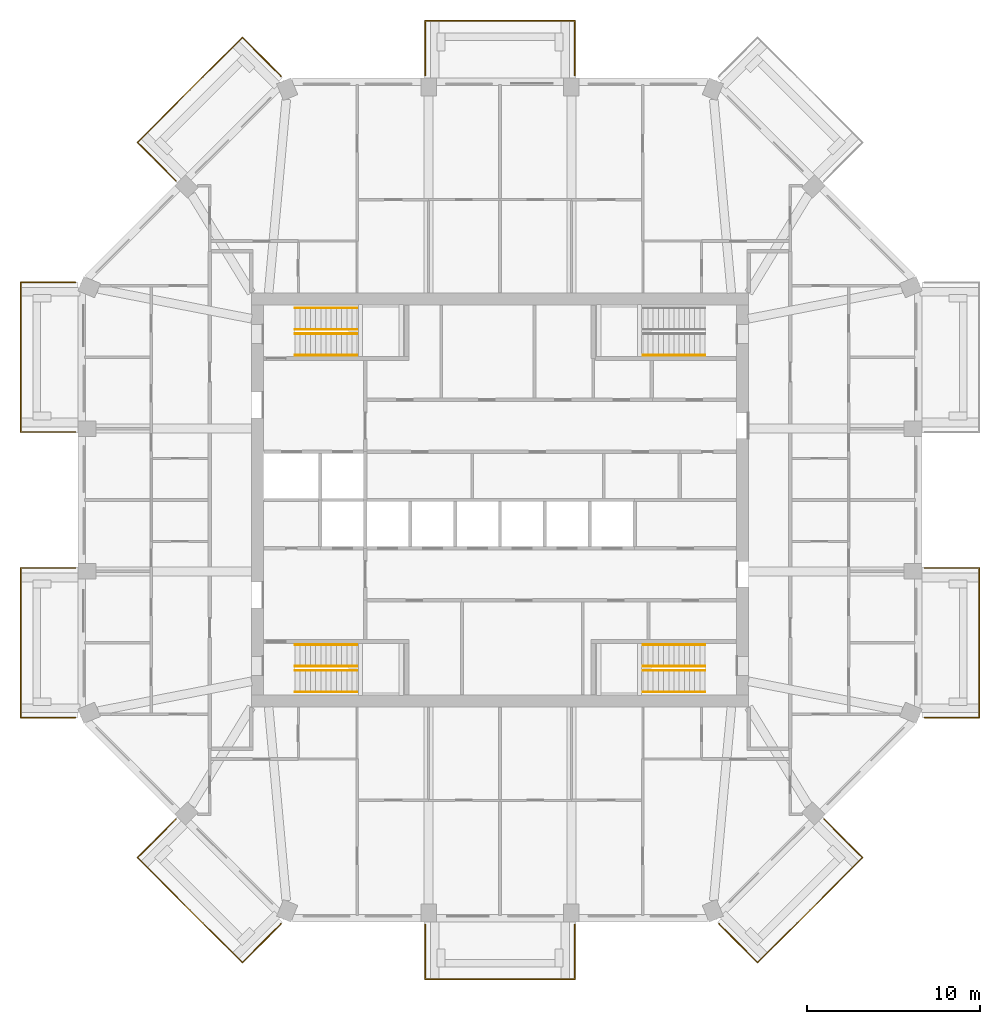
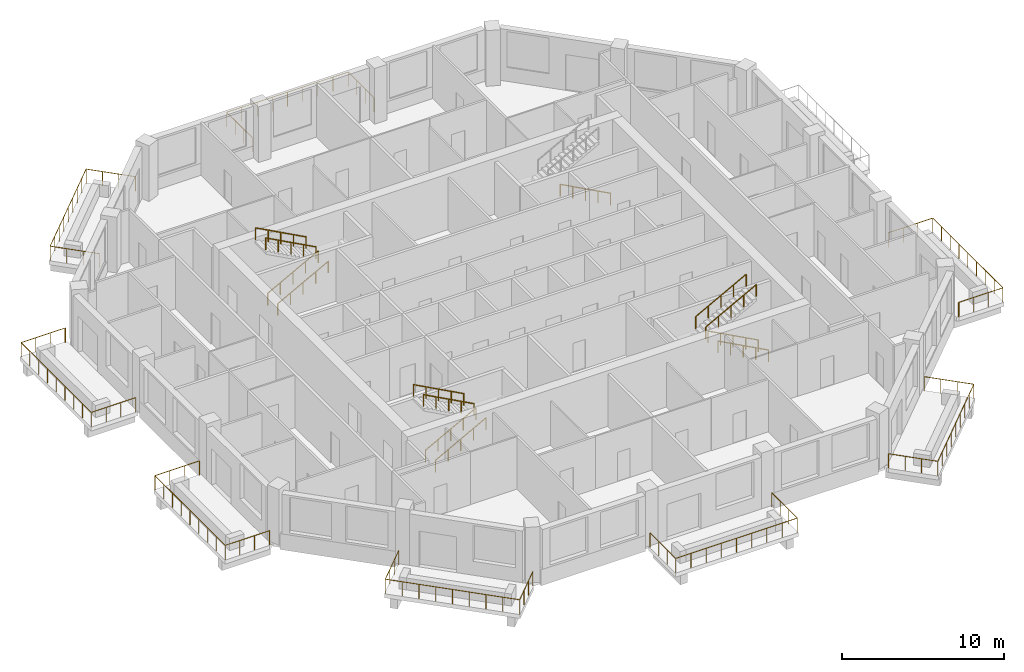
# One storey, part 11 of 12: 21 railings.
"""IFC4 building model written with IfcOpenShell, lengths in metres."""

from ifc_helpers import new_model, si_unit, direction, frame, origin, origin_2d, place, context, subcontext, project, spatial, circle, extrude, material, constituent, constituent_set, type_object, element, save


model = new_model("IFC4")

# Units and contexts
model_context = context("Model", 3, precision=1e-05, world=origin(), true_north=direction((0.0, 1.0)))
body_context = subcontext(model_context, "Body", "Model", "MODEL_VIEW")
ifc_project = project(units=[si_unit("LENGTHUNIT", "METRE"), si_unit("AREAUNIT", "SQUARE_METRE"), si_unit("VOLUMEUNIT", "CUBIC_METRE"), si_unit("PLANEANGLEUNIT", "RADIAN"), si_unit("MASSUNIT", "GRAM", prefix="KILO")], contexts=[model_context])

# Site, building, storey
site_placement = place(None, origin())
site = spatial("IfcSite", under=ifc_project, at=site_placement, CompositionType="ELEMENT")
building_placement = place(site_placement, origin())
building = spatial("IfcBuilding", under=site, at=building_placement, Name="Msitu Wima Residences", CompositionType="ELEMENT")
storey_placement = place(building_placement, frame((0.0, 0.0, 166.5)))
storey = spatial("IfcBuildingStorey", under=building, at=storey_placement, Name="L38", CompositionType="ELEMENT", Elevation=166.5)

# Railings
ifc_material_1 = material(Name="Steel S355", Category="steel")
ifc_constituent_1 = constituent(ifc_material_1, Name="Steel S355")
ifc_material_2 = material(Name="Weathering patina")
ifc_constituent_2 = constituent(ifc_material_2, Name="Weathering patina")
ifc_constituent_set_1 = constituent_set(constituents=[ifc_constituent_1, ifc_constituent_2], Name="Steel S355")
railing_type_1 = type_object("IfcRailingType", Name="Balcony guard GR1100", PredefinedType="GUARDRAIL", material=ifc_constituent_set_1)
railing_1_placement = place(storey_placement, frame((24.580078125, -3.937255859375, 0.0)))
element("IfcRailing", 1, at=railing_1_placement, inside=storey, type_object=railing_type_1, Name="Balcony guard E0 L38", PredefinedType="GUARDRAIL", context=body_context, shape_type="SweptSolid", body=[
    extrude(circle(Radius=0.02392578125, at=origin_2d()), frame((0.0, 0.0, 1.076171875), z_axis=(1.0, 0.0, 0.0), x_axis=(0.0, 1.0, 0.0)), (0.0, 0.0, 1.0), 3.169921875),
    extrude(circle(Radius=0.02392578125, at=origin_2d()), frame((3.169921875, 0.0, 1.076171875), z_axis=(0.0, -1.0, 0.0), x_axis=(1.0, 0.0, 0.0)), (0.0, 0.0, 1.0), 8.674560546875),
    extrude(circle(Radius=0.02392578125, at=origin_2d()), frame((3.169921875, -8.674560546875, 1.076171875), z_axis=(-1.0, 0.0, 0.0), x_axis=(0.0, -1.0, 0.0)), (0.0, 0.0, 1.0), 3.136474609375),
    extrude(circle(Radius=0.02392578125, at=origin_2d()), frame((0.033447265625, -8.674560546875, 1.076171875), z_axis=(-0.923276184907, 0.384136806859, 0.0), x_axis=(-0.384136806859, -0.923276184907, 0.0)), (0.0, 0.0, 1.0), 0.0361328125),
    extrude(circle(Radius=0.02099609375, at=origin_2d()), origin(), (0.0, 0.0, 1.0), 1.052001953125),
    extrude(circle(Radius=0.02099609375, at=origin_2d()), frame((1.056640625, 0.0, 0.0)), (0.0, 0.0, 1.0), 1.052001953125),
    extrude(circle(Radius=0.02099609375, at=origin_2d()), frame((2.11328125, 0.0, 0.0)), (0.0, 0.0, 1.0), 1.052001953125),
    extrude(circle(Radius=0.02099609375, at=origin_2d()), frame((3.169921875, 0.0, 0.0)), (0.0, 0.0, 1.0), 1.052001953125),
    extrude(circle(Radius=0.02099609375, at=origin_2d()), frame((3.169921875, -1.084228515625, 0.0)), (0.0, 0.0, 1.0), 1.052001953125),
    extrude(circle(Radius=0.02099609375, at=origin_2d()), frame((3.169921875, -2.168701171875, 0.0)), (0.0, 0.0, 1.0), 1.052001953125),
    extrude(circle(Radius=0.02099609375, at=origin_2d()), frame((3.169921875, -3.2529296875, 0.0)), (0.0, 0.0, 1.0), 1.052001953125),
    extrude(circle(Radius=0.02099609375, at=origin_2d()), frame((3.169921875, -4.33740234375, 0.0)), (0.0, 0.0, 1.0), 1.052001953125),
    extrude(circle(Radius=0.02099609375, at=origin_2d()), frame((3.169921875, -5.421630859375, 0.0)), (0.0, 0.0, 1.0), 1.052001953125),
    extrude(circle(Radius=0.02099609375, at=origin_2d()), frame((3.169921875, -6.505859375, 0.0)), (0.0, 0.0, 1.0), 1.052001953125),
    extrude(circle(Radius=0.02099609375, at=origin_2d()), frame((3.169921875, -7.59033203125, 0.0)), (0.0, 0.0, 1.0), 1.052001953125),
    extrude(circle(Radius=0.02099609375, at=origin_2d()), frame((3.169921875, -8.674560546875, 0.0)), (0.0, 0.0, 1.0), 1.052001953125),
    extrude(circle(Radius=0.02099609375, at=origin_2d()), frame((2.12451171875, -8.674560546875, 0.0)), (0.0, 0.0, 1.0), 1.052001953125),
    extrude(circle(Radius=0.02099609375, at=origin_2d()), frame((1.078857421875, -8.674560546875, 0.0)), (0.0, 0.0, 1.0), 1.052001953125),
    extrude(circle(Radius=0.02099609375, at=origin_2d()), frame((0.033447265625, -8.674560546875, 0.0)), (0.0, 0.0, 1.0), 1.052001953125),
    extrude(circle(Radius=0.02099609375, at=origin_2d()), frame((0.0, -8.66064453125, 0.0)), (0.0, 0.0, 1.0), 1.052001953125),
])
railing_2_placement = place(storey_placement, frame((-4.337158203125, 24.580078125, 0.0)))
element("IfcRailing", 2, at=railing_2_placement, inside=storey, type_object=railing_type_1, Name="Balcony guard N1 L38", PredefinedType="GUARDRAIL", context=body_context, shape_type="SweptSolid", body=[
    extrude(circle(Radius=0.02392578125, at=origin_2d()), frame((0.0, 0.0, 1.076171875), z_axis=(0.0, 1.0, 0.0), x_axis=(-1.0, 0.0, 0.0)), (0.0, 0.0, 1.0), 3.169921875),
    extrude(circle(Radius=0.02392578125, at=origin_2d()), frame((0.0, 3.169921875, 1.076171875), z_axis=(1.0, 0.0, 0.0), x_axis=(0.0, 1.0, 0.0)), (0.0, 0.0, 1.0), 8.67431640625),
    extrude(circle(Radius=0.02392578125, at=origin_2d()), frame((8.67431640625, 3.169921875, 1.076171875), z_axis=(0.0, -1.0, 0.0), x_axis=(1.0, 0.0, 0.0)), (0.0, 0.0, 1.0), 3.169921875),
    extrude(circle(Radius=0.02099609375, at=origin_2d()), origin(), (0.0, 0.0, 1.0), 1.052001953125),
    extrude(circle(Radius=0.02099609375, at=origin_2d()), frame((0.0, 1.056640625, 0.0)), (0.0, 0.0, 1.0), 1.052001953125),
    extrude(circle(Radius=0.02099609375, at=origin_2d()), frame((0.0, 2.11328125, 0.0)), (0.0, 0.0, 1.0), 1.052001953125),
    extrude(circle(Radius=0.02099609375, at=origin_2d()), frame((0.0, 3.169921875, 0.0)), (0.0, 0.0, 1.0), 1.052001953125),
    extrude(circle(Radius=0.02099609375, at=origin_2d()), frame((1.084228515625, 3.169921875, 0.0)), (0.0, 0.0, 1.0), 1.052001953125),
    extrude(circle(Radius=0.02099609375, at=origin_2d()), frame((2.16845703125, 3.169921875, 0.0)), (0.0, 0.0, 1.0), 1.052001953125),
    extrude(circle(Radius=0.02099609375, at=origin_2d()), frame((3.2529296875, 3.169921875, 0.0)), (0.0, 0.0, 1.0), 1.052001953125),
    extrude(circle(Radius=0.02099609375, at=origin_2d()), frame((4.337158203125, 3.169921875, 0.0)), (0.0, 0.0, 1.0), 1.052001953125),
    extrude(circle(Radius=0.02099609375, at=origin_2d()), frame((5.42138671875, 3.169921875, 0.0)), (0.0, 0.0, 1.0), 1.052001953125),
    extrude(circle(Radius=0.02099609375, at=origin_2d()), frame((6.505859375, 3.169921875, 0.0)), (0.0, 0.0, 1.0), 1.052001953125),
    extrude(circle(Radius=0.02099609375, at=origin_2d()), frame((7.590087890625, 3.169921875, 0.0)), (0.0, 0.0, 1.0), 1.052001953125),
    extrude(circle(Radius=0.02099609375, at=origin_2d()), frame((8.67431640625, 3.169921875, 0.0)), (0.0, 0.0, 1.0), 1.052001953125),
    extrude(circle(Radius=0.02099609375, at=origin_2d()), frame((8.67431640625, 2.11328125, 0.0)), (0.0, 0.0, 1.0), 1.052001953125),
    extrude(circle(Radius=0.02099609375, at=origin_2d()), frame((8.67431640625, 1.056640625, 0.0)), (0.0, 0.0, 1.0), 1.052001953125),
    extrude(circle(Radius=0.02099609375, at=origin_2d()), frame((8.67431640625, 0.0, 0.0)), (0.0, 0.0, 1.0), 1.052001953125),
])
railing_3_placement = place(storey_placement, frame((-18.75732421875, 18.474609375, 0.0)))
element("IfcRailing", 3, at=railing_3_placement, inside=storey, type_object=railing_type_1, Name="Balcony guard NW0 L38", PredefinedType="GUARDRAIL", context=body_context, shape_type="SweptSolid", body=[
    extrude(circle(Radius=0.02392578125, at=origin_2d()), frame((0.0, 0.0, 1.076171875), z_axis=(-0.707145287287, 0.707068272989, 0.0), x_axis=(-0.707068272989, -0.707145287287, 0.0)), (0.0, 0.0, 1.0), 3.170166015625),
    extrude(circle(Radius=0.02392578125, at=origin_2d()), frame((-2.24169921875, 2.241455078125, 1.076171875), z_axis=(0.707106781187, 0.707106781187, 0.0), x_axis=(-0.707106781187, 0.707106781187, 0.0)), (0.0, 0.0, 1.0), 8.593994140625),
    extrude(circle(Radius=0.02392578125, at=origin_2d()), frame((3.835205078125, 8.318359375, 1.076171875), z_axis=(0.707145698426, -0.707067861805, 0.0), x_axis=(0.707067861805, 0.707145698426, 0.0)), (0.0, 0.0, 1.0), 3.136474609375),
    extrude(circle(Radius=0.02392578125, at=origin_2d()), frame((6.05322265625, 6.1005859375, 1.076171875), z_axis=(0.384136806859, -0.923276184907, 0.0), x_axis=(0.923276184907, 0.384136806859, 0.0)), (0.0, 0.0, 1.0), 0.0361328125),
    extrude(circle(Radius=0.02099609375, at=origin_2d()), origin(), (0.0, 0.0, 1.0), 1.052001953125),
    extrude(circle(Radius=0.02099609375, at=origin_2d()), frame((-0.747314453125, 0.7470703125, 0.0)), (0.0, 0.0, 1.0), 1.052001953125),
    extrude(circle(Radius=0.02099609375, at=origin_2d()), frame((-1.494384765625, 1.494384765625, 0.0)), (0.0, 0.0, 1.0), 1.052001953125),
    extrude(circle(Radius=0.02099609375, at=origin_2d()), frame((-2.24169921875, 2.241455078125, 0.0)), (0.0, 0.0, 1.0), 1.052001953125),
    extrude(circle(Radius=0.02099609375, at=origin_2d()), frame((-1.482177734375, 3.0009765625, 0.0)), (0.0, 0.0, 1.0), 1.052001953125),
    extrude(circle(Radius=0.02099609375, at=origin_2d()), frame((-0.722412109375, 3.7607421875, 0.0)), (0.0, 0.0, 1.0), 1.052001953125),
    extrude(circle(Radius=0.02099609375, at=origin_2d()), frame((0.037109375, 4.520263671875, 0.0)), (0.0, 0.0, 1.0), 1.052001953125),
    extrude(circle(Radius=0.02099609375, at=origin_2d()), frame((0.796875, 5.27978515625, 0.0)), (0.0, 0.0, 1.0), 1.052001953125),
    extrude(circle(Radius=0.02099609375, at=origin_2d()), frame((1.556396484375, 6.03955078125, 0.0)), (0.0, 0.0, 1.0), 1.052001953125),
    extrude(circle(Radius=0.02099609375, at=origin_2d()), frame((2.31591796875, 6.799072265625, 0.0)), (0.0, 0.0, 1.0), 1.052001953125),
    extrude(circle(Radius=0.02099609375, at=origin_2d()), frame((3.07568359375, 7.558837890625, 0.0)), (0.0, 0.0, 1.0), 1.052001953125),
    extrude(circle(Radius=0.02099609375, at=origin_2d()), frame((3.835205078125, 8.318359375, 0.0)), (0.0, 0.0, 1.0), 1.052001953125),
    extrude(circle(Radius=0.02099609375, at=origin_2d()), frame((4.574462890625, 7.5791015625, 0.0)), (0.0, 0.0, 1.0), 1.052001953125),
    extrude(circle(Radius=0.02099609375, at=origin_2d()), frame((5.31396484375, 6.83984375, 0.0)), (0.0, 0.0, 1.0), 1.052001953125),
    extrude(circle(Radius=0.02099609375, at=origin_2d()), frame((6.05322265625, 6.1005859375, 0.0)), (0.0, 0.0, 1.0), 1.052001953125),
    extrude(circle(Radius=0.02099609375, at=origin_2d()), frame((6.067138671875, 6.067138671875, 0.0)), (0.0, 0.0, 1.0), 1.052001953125),
])
railing_4_placement = place(storey_placement, frame((-24.580078125, 3.937255859375, 0.0)))
element("IfcRailing", 4, at=railing_4_placement, inside=storey, type_object=railing_type_1, Name="Balcony guard W0 L38", PredefinedType="GUARDRAIL", context=body_context, shape_type="SweptSolid", body=[
    extrude(circle(Radius=0.02392578125, at=origin_2d()), frame((0.0, 0.0, 1.076171875), z_axis=(-1.0, 0.0, 0.0), x_axis=(0.0, -1.0, 0.0)), (0.0, 0.0, 1.0), 3.169921875),
    extrude(circle(Radius=0.02392578125, at=origin_2d()), frame((-3.169921875, 0.0, 1.076171875), z_axis=(0.0, 1.0, 0.0), x_axis=(-1.0, 0.0, 0.0)), (0.0, 0.0, 1.0), 8.674560546875),
    extrude(circle(Radius=0.02392578125, at=origin_2d()), frame((-3.169921875, 8.674560546875, 1.076171875), z_axis=(1.0, 0.0, 0.0), x_axis=(0.0, 1.0, 0.0)), (0.0, 0.0, 1.0), 3.136474609375),
    extrude(circle(Radius=0.02392578125, at=origin_2d()), frame((-0.033447265625, 8.674560546875, 1.076171875), z_axis=(0.923276184907, -0.384136806859, 0.0), x_axis=(0.384136806859, 0.923276184907, 0.0)), (0.0, 0.0, 1.0), 0.0361328125),
    extrude(circle(Radius=0.02099609375, at=origin_2d()), origin(), (0.0, 0.0, 1.0), 1.052001953125),
    extrude(circle(Radius=0.02099609375, at=origin_2d()), frame((-1.056640625, 0.0, 0.0)), (0.0, 0.0, 1.0), 1.052001953125),
    extrude(circle(Radius=0.02099609375, at=origin_2d()), frame((-2.11328125, 0.0, 0.0)), (0.0, 0.0, 1.0), 1.052001953125),
    extrude(circle(Radius=0.02099609375, at=origin_2d()), frame((-3.169921875, 0.0, 0.0)), (0.0, 0.0, 1.0), 1.052001953125),
    extrude(circle(Radius=0.02099609375, at=origin_2d()), frame((-3.169921875, 1.084228515625, 0.0)), (0.0, 0.0, 1.0), 1.052001953125),
    extrude(circle(Radius=0.02099609375, at=origin_2d()), frame((-3.169921875, 2.168701171875, 0.0)), (0.0, 0.0, 1.0), 1.052001953125),
    extrude(circle(Radius=0.02099609375, at=origin_2d()), frame((-3.169921875, 3.2529296875, 0.0)), (0.0, 0.0, 1.0), 1.052001953125),
    extrude(circle(Radius=0.02099609375, at=origin_2d()), frame((-3.169921875, 4.33740234375, 0.0)), (0.0, 0.0, 1.0), 1.052001953125),
    extrude(circle(Radius=0.02099609375, at=origin_2d()), frame((-3.169921875, 5.421630859375, 0.0)), (0.0, 0.0, 1.0), 1.052001953125),
    extrude(circle(Radius=0.02099609375, at=origin_2d()), frame((-3.169921875, 6.505859375, 0.0)), (0.0, 0.0, 1.0), 1.052001953125),
    extrude(circle(Radius=0.02099609375, at=origin_2d()), frame((-3.169921875, 7.59033203125, 0.0)), (0.0, 0.0, 1.0), 1.052001953125),
    extrude(circle(Radius=0.02099609375, at=origin_2d()), frame((-3.169921875, 8.674560546875, 0.0)), (0.0, 0.0, 1.0), 1.052001953125),
    extrude(circle(Radius=0.02099609375, at=origin_2d()), frame((-2.12451171875, 8.674560546875, 0.0)), (0.0, 0.0, 1.0), 1.052001953125),
    extrude(circle(Radius=0.02099609375, at=origin_2d()), frame((-1.078857421875, 8.674560546875, 0.0)), (0.0, 0.0, 1.0), 1.052001953125),
    extrude(circle(Radius=0.02099609375, at=origin_2d()), frame((-0.033447265625, 8.674560546875, 0.0)), (0.0, 0.0, 1.0), 1.052001953125),
    extrude(circle(Radius=0.02099609375, at=origin_2d()), frame((0.0, 8.66064453125, 0.0)), (0.0, 0.0, 1.0), 1.052001953125),
])
railing_5_placement = place(storey_placement, frame((-24.580078125, -12.597900390625, 0.0)))
element("IfcRailing", 5, at=railing_5_placement, inside=storey, type_object=railing_type_1, Name="Balcony guard W2 L38", PredefinedType="GUARDRAIL", context=body_context, shape_type="SweptSolid", body=[
    extrude(circle(Radius=0.02392578125, at=origin_2d()), frame((0.0, 0.0, 1.076171875), z_axis=(-0.923276184907, -0.384136806859, 0.0), x_axis=(0.384136806859, -0.923276184907, 0.0)), (0.0, 0.0, 1.0), 0.0361328125),
    extrude(circle(Radius=0.02392578125, at=origin_2d()), frame((-0.033447265625, -0.013916015625, 1.076171875), z_axis=(-1.0, 0.0, 0.0), x_axis=(0.0, -1.0, 0.0)), (0.0, 0.0, 1.0), 3.136474609375),
    extrude(circle(Radius=0.02392578125, at=origin_2d()), frame((-3.169921875, -0.013916015625, 1.076171875), z_axis=(0.0, 1.0, 0.0), x_axis=(-1.0, 0.0, 0.0)), (0.0, 0.0, 1.0), 8.674560546875),
    extrude(circle(Radius=0.02392578125, at=origin_2d()), frame((-3.169921875, 8.66064453125, 1.076171875), z_axis=(1.0, 0.0, 0.0), x_axis=(0.0, 1.0, 0.0)), (0.0, 0.0, 1.0), 3.169921875),
    extrude(circle(Radius=0.02099609375, at=origin_2d()), origin(), (0.0, 0.0, 1.0), 1.052001953125),
    extrude(circle(Radius=0.02099609375, at=origin_2d()), frame((-0.033447265625, -0.013916015625, 0.0)), (0.0, 0.0, 1.0), 1.052001953125),
    extrude(circle(Radius=0.02099609375, at=origin_2d()), frame((-1.078857421875, -0.013916015625, 0.0)), (0.0, 0.0, 1.0), 1.052001953125),
    extrude(circle(Radius=0.02099609375, at=origin_2d()), frame((-2.12451171875, -0.013916015625, 0.0)), (0.0, 0.0, 1.0), 1.052001953125),
    extrude(circle(Radius=0.02099609375, at=origin_2d()), frame((-3.169921875, -0.013916015625, 0.0)), (0.0, 0.0, 1.0), 1.052001953125),
    extrude(circle(Radius=0.02099609375, at=origin_2d()), frame((-3.169921875, 1.0703125, 0.0)), (0.0, 0.0, 1.0), 1.052001953125),
    extrude(circle(Radius=0.02099609375, at=origin_2d()), frame((-3.169921875, 2.15478515625, 0.0)), (0.0, 0.0, 1.0), 1.052001953125),
    extrude(circle(Radius=0.02099609375, at=origin_2d()), frame((-3.169921875, 3.239013671875, 0.0)), (0.0, 0.0, 1.0), 1.052001953125),
    extrude(circle(Radius=0.02099609375, at=origin_2d()), frame((-3.169921875, 4.3232421875, 0.0)), (0.0, 0.0, 1.0), 1.052001953125),
    extrude(circle(Radius=0.02099609375, at=origin_2d()), frame((-3.169921875, 5.40771484375, 0.0)), (0.0, 0.0, 1.0), 1.052001953125),
    extrude(circle(Radius=0.02099609375, at=origin_2d()), frame((-3.169921875, 6.491943359375, 0.0)), (0.0, 0.0, 1.0), 1.052001953125),
    extrude(circle(Radius=0.02099609375, at=origin_2d()), frame((-3.169921875, 7.576416015625, 0.0)), (0.0, 0.0, 1.0), 1.052001953125),
    extrude(circle(Radius=0.02099609375, at=origin_2d()), frame((-3.169921875, 8.66064453125, 0.0)), (0.0, 0.0, 1.0), 1.052001953125),
    extrude(circle(Radius=0.02099609375, at=origin_2d()), frame((-2.11328125, 8.66064453125, 0.0)), (0.0, 0.0, 1.0), 1.052001953125),
    extrude(circle(Radius=0.02099609375, at=origin_2d()), frame((-1.056640625, 8.66064453125, 0.0)), (0.0, 0.0, 1.0), 1.052001953125),
    extrude(circle(Radius=0.02099609375, at=origin_2d()), frame((0.0, 8.66064453125, 0.0)), (0.0, 0.0, 1.0), 1.052001953125),
])
railing_6_placement = place(storey_placement, frame((-12.690185546875, -24.541748046875, 0.0)))
element("IfcRailing", 6, at=railing_6_placement, inside=storey, type_object=railing_type_1, Name="Balcony guard SW1 L38", PredefinedType="GUARDRAIL", context=body_context, shape_type="SweptSolid", body=[
    extrude(circle(Radius=0.02392578125, at=origin_2d()), frame((0.0, 0.0, 1.076171875), z_axis=(-0.384136806859, -0.923276184907, 0.0), x_axis=(0.923276184907, -0.384136806859, 0.0)), (0.0, 0.0, 1.0), 0.0361328125),
    extrude(circle(Radius=0.02392578125, at=origin_2d()), frame((-0.013916015625, -0.033447265625, 1.076171875), z_axis=(-0.707145698426, -0.707067861805, 0.0), x_axis=(0.707067861805, -0.707145698426, 0.0)), (0.0, 0.0, 1.0), 3.136474609375),
    extrude(circle(Radius=0.02392578125, at=origin_2d()), frame((-2.23193359375, -2.251220703125, 1.076171875), z_axis=(-0.707106781187, 0.707106781187, 0.0), x_axis=(-0.707106781187, -0.707106781187, 0.0)), (0.0, 0.0, 1.0), 8.593994140625),
    extrude(circle(Radius=0.02392578125, at=origin_2d()), frame((-8.308837890625, 3.82568359375, 1.076171875), z_axis=(0.707145287287, 0.707068272989, 0.0), x_axis=(-0.707068272989, 0.707145287287, 0.0)), (0.0, 0.0, 1.0), 3.170166015625),
    extrude(circle(Radius=0.02099609375, at=origin_2d()), origin(), (0.0, 0.0, 1.0), 1.052001953125),
    extrude(circle(Radius=0.02099609375, at=origin_2d()), frame((-0.013916015625, -0.033447265625, 0.0)), (0.0, 0.0, 1.0), 1.052001953125),
    extrude(circle(Radius=0.02099609375, at=origin_2d()), frame((-0.753173828125, -0.772705078125, 0.0)), (0.0, 0.0, 1.0), 1.052001953125),
    extrude(circle(Radius=0.02099609375, at=origin_2d()), frame((-1.49267578125, -1.511962890625, 0.0)), (0.0, 0.0, 1.0), 1.052001953125),
    extrude(circle(Radius=0.02099609375, at=origin_2d()), frame((-2.23193359375, -2.251220703125, 0.0)), (0.0, 0.0, 1.0), 1.052001953125),
    extrude(circle(Radius=0.02099609375, at=origin_2d()), frame((-2.991455078125, -1.49169921875, 0.0)), (0.0, 0.0, 1.0), 1.052001953125),
    extrude(circle(Radius=0.02099609375, at=origin_2d()), frame((-3.751220703125, -0.73193359375, 0.0)), (0.0, 0.0, 1.0), 1.052001953125),
    extrude(circle(Radius=0.02099609375, at=origin_2d()), frame((-4.5107421875, 0.027587890625, 0.0)), (0.0, 0.0, 1.0), 1.052001953125),
    extrude(circle(Radius=0.02099609375, at=origin_2d()), frame((-5.2705078125, 0.787109375, 0.0)), (0.0, 0.0, 1.0), 1.052001953125),
    extrude(circle(Radius=0.02099609375, at=origin_2d()), frame((-6.030029296875, 1.546875, 0.0)), (0.0, 0.0, 1.0), 1.052001953125),
    extrude(circle(Radius=0.02099609375, at=origin_2d()), frame((-6.78955078125, 2.306396484375, 0.0)), (0.0, 0.0, 1.0), 1.052001953125),
    extrude(circle(Radius=0.02099609375, at=origin_2d()), frame((-7.54931640625, 3.066162109375, 0.0)), (0.0, 0.0, 1.0), 1.052001953125),
    extrude(circle(Radius=0.02099609375, at=origin_2d()), frame((-8.308837890625, 3.82568359375, 0.0)), (0.0, 0.0, 1.0), 1.052001953125),
    extrude(circle(Radius=0.02099609375, at=origin_2d()), frame((-7.5615234375, 4.57275390625, 0.0)), (0.0, 0.0, 1.0), 1.052001953125),
    extrude(circle(Radius=0.02099609375, at=origin_2d()), frame((-6.814453125, 5.320068359375, 0.0)), (0.0, 0.0, 1.0), 1.052001953125),
    extrude(circle(Radius=0.02099609375, at=origin_2d()), frame((-6.067138671875, 6.067138671875, 0.0)), (0.0, 0.0, 1.0), 1.052001953125),
])
railing_7_placement = place(storey_placement, frame((4.337158203125, -24.580078125, 0.0)))
element("IfcRailing", 7, at=railing_7_placement, inside=storey, type_object=railing_type_1, Name="Balcony guard S1 L38", PredefinedType="GUARDRAIL", context=body_context, shape_type="SweptSolid", body=[
    extrude(circle(Radius=0.02392578125, at=origin_2d()), frame((0.0, 0.0, 1.076171875), z_axis=(0.0, -1.0, 0.0), x_axis=(1.0, 0.0, 0.0)), (0.0, 0.0, 1.0), 3.169921875),
    extrude(circle(Radius=0.02392578125, at=origin_2d()), frame((0.0, -3.169921875, 1.076171875), z_axis=(-1.0, 0.0, 0.0), x_axis=(0.0, -1.0, 0.0)), (0.0, 0.0, 1.0), 8.67431640625),
    extrude(circle(Radius=0.02392578125, at=origin_2d()), frame((-8.67431640625, -3.169921875, 1.076171875), z_axis=(0.0, 1.0, 0.0), x_axis=(-1.0, 0.0, 0.0)), (0.0, 0.0, 1.0), 3.169921875),
    extrude(circle(Radius=0.02099609375, at=origin_2d()), origin(), (0.0, 0.0, 1.0), 1.052001953125),
    extrude(circle(Radius=0.02099609375, at=origin_2d()), frame((0.0, -1.056640625, 0.0)), (0.0, 0.0, 1.0), 1.052001953125),
    extrude(circle(Radius=0.02099609375, at=origin_2d()), frame((0.0, -2.11328125, 0.0)), (0.0, 0.0, 1.0), 1.052001953125),
    extrude(circle(Radius=0.02099609375, at=origin_2d()), frame((0.0, -3.169921875, 0.0)), (0.0, 0.0, 1.0), 1.052001953125),
    extrude(circle(Radius=0.02099609375, at=origin_2d()), frame((-1.084228515625, -3.169921875, 0.0)), (0.0, 0.0, 1.0), 1.052001953125),
    extrude(circle(Radius=0.02099609375, at=origin_2d()), frame((-2.16845703125, -3.169921875, 0.0)), (0.0, 0.0, 1.0), 1.052001953125),
    extrude(circle(Radius=0.02099609375, at=origin_2d()), frame((-3.2529296875, -3.169921875, 0.0)), (0.0, 0.0, 1.0), 1.052001953125),
    extrude(circle(Radius=0.02099609375, at=origin_2d()), frame((-4.337158203125, -3.169921875, 0.0)), (0.0, 0.0, 1.0), 1.052001953125),
    extrude(circle(Radius=0.02099609375, at=origin_2d()), frame((-5.42138671875, -3.169921875, 0.0)), (0.0, 0.0, 1.0), 1.052001953125),
    extrude(circle(Radius=0.02099609375, at=origin_2d()), frame((-6.505859375, -3.169921875, 0.0)), (0.0, 0.0, 1.0), 1.052001953125),
    extrude(circle(Radius=0.02099609375, at=origin_2d()), frame((-7.590087890625, -3.169921875, 0.0)), (0.0, 0.0, 1.0), 1.052001953125),
    extrude(circle(Radius=0.02099609375, at=origin_2d()), frame((-8.67431640625, -3.169921875, 0.0)), (0.0, 0.0, 1.0), 1.052001953125),
    extrude(circle(Radius=0.02099609375, at=origin_2d()), frame((-8.67431640625, -2.11328125, 0.0)), (0.0, 0.0, 1.0), 1.052001953125),
    extrude(circle(Radius=0.02099609375, at=origin_2d()), frame((-8.67431640625, -1.056640625, 0.0)), (0.0, 0.0, 1.0), 1.052001953125),
    extrude(circle(Radius=0.02099609375, at=origin_2d()), frame((-8.67431640625, 0.0, 0.0)), (0.0, 0.0, 1.0), 1.052001953125),
])
railing_8_placement = place(storey_placement, frame((18.75732421875, -18.474609375, 0.0)))
element("IfcRailing", 8, at=railing_8_placement, inside=storey, type_object=railing_type_1, Name="Balcony guard SE0 L38", PredefinedType="GUARDRAIL", context=body_context, shape_type="SweptSolid", body=[
    extrude(circle(Radius=0.02392578125, at=origin_2d()), frame((0.0, 0.0, 1.076171875), z_axis=(0.707145287287, -0.707068272989, 0.0), x_axis=(0.707068272989, 0.707145287287, 0.0)), (0.0, 0.0, 1.0), 3.170166015625),
    extrude(circle(Radius=0.02392578125, at=origin_2d()), frame((2.24169921875, -2.241455078125, 1.076171875), z_axis=(-0.707106781187, -0.707106781187, 0.0), x_axis=(0.707106781187, -0.707106781187, 0.0)), (0.0, 0.0, 1.0), 8.593994140625),
    extrude(circle(Radius=0.02392578125, at=origin_2d()), frame((-3.835205078125, -8.318359375, 1.076171875), z_axis=(-0.707145698426, 0.707067861805, 0.0), x_axis=(-0.707067861805, -0.707145698426, 0.0)), (0.0, 0.0, 1.0), 3.136474609375),
    extrude(circle(Radius=0.02392578125, at=origin_2d()), frame((-6.05322265625, -6.1005859375, 1.076171875), z_axis=(-0.384136806859, 0.923276184907, 0.0), x_axis=(-0.923276184907, -0.384136806859, 0.0)), (0.0, 0.0, 1.0), 0.0361328125),
    extrude(circle(Radius=0.02099609375, at=origin_2d()), origin(), (0.0, 0.0, 1.0), 1.052001953125),
    extrude(circle(Radius=0.02099609375, at=origin_2d()), frame((0.747314453125, -0.7470703125, 0.0)), (0.0, 0.0, 1.0), 1.052001953125),
    extrude(circle(Radius=0.02099609375, at=origin_2d()), frame((1.494384765625, -1.494384765625, 0.0)), (0.0, 0.0, 1.0), 1.052001953125),
    extrude(circle(Radius=0.02099609375, at=origin_2d()), frame((2.24169921875, -2.241455078125, 0.0)), (0.0, 0.0, 1.0), 1.052001953125),
    extrude(circle(Radius=0.02099609375, at=origin_2d()), frame((1.482177734375, -3.0009765625, 0.0)), (0.0, 0.0, 1.0), 1.052001953125),
    extrude(circle(Radius=0.02099609375, at=origin_2d()), frame((0.722412109375, -3.7607421875, 0.0)), (0.0, 0.0, 1.0), 1.052001953125),
    extrude(circle(Radius=0.02099609375, at=origin_2d()), frame((-0.037109375, -4.520263671875, 0.0)), (0.0, 0.0, 1.0), 1.052001953125),
    extrude(circle(Radius=0.02099609375, at=origin_2d()), frame((-0.796875, -5.27978515625, 0.0)), (0.0, 0.0, 1.0), 1.052001953125),
    extrude(circle(Radius=0.02099609375, at=origin_2d()), frame((-1.556396484375, -6.03955078125, 0.0)), (0.0, 0.0, 1.0), 1.052001953125),
    extrude(circle(Radius=0.02099609375, at=origin_2d()), frame((-2.31591796875, -6.799072265625, 0.0)), (0.0, 0.0, 1.0), 1.052001953125),
    extrude(circle(Radius=0.02099609375, at=origin_2d()), frame((-3.07568359375, -7.558837890625, 0.0)), (0.0, 0.0, 1.0), 1.052001953125),
    extrude(circle(Radius=0.02099609375, at=origin_2d()), frame((-3.835205078125, -8.318359375, 0.0)), (0.0, 0.0, 1.0), 1.052001953125),
    extrude(circle(Radius=0.02099609375, at=origin_2d()), frame((-4.574462890625, -7.5791015625, 0.0)), (0.0, 0.0, 1.0), 1.052001953125),
    extrude(circle(Radius=0.02099609375, at=origin_2d()), frame((-5.31396484375, -6.83984375, 0.0)), (0.0, 0.0, 1.0), 1.052001953125),
    extrude(circle(Radius=0.02099609375, at=origin_2d()), frame((-6.05322265625, -6.1005859375, 0.0)), (0.0, 0.0, 1.0), 1.052001953125),
    extrude(circle(Radius=0.02099609375, at=origin_2d()), frame((-6.067138671875, -6.067138671875, 0.0)), (0.0, 0.0, 1.0), 1.052001953125),
])
ifc_constituent_3 = constituent(ifc_material_1, Name="Steel S355")
ifc_material_3 = material(Name="Black powder coating")
ifc_constituent_4 = constituent(ifc_material_3, Name="Black powder coating")
ifc_constituent_set_2 = constituent_set(constituents=[ifc_constituent_3, ifc_constituent_4], Name="Steel S355")
railing_type_2 = type_object("IfcRailingType", Name="Stair handrail HR1", PredefinedType="HANDRAIL", material=ifc_constituent_set_2)
for number, where, name in (
    (9, (-11.875, 8.375, 0.16162109375), "Stair 1 handrail"),
    (10, (-11.875, 9.625, 0.16162109375), "Stair 1 handrail"),
):
    element("IfcRailing", number, at=place(storey_placement, frame(where)), inside=storey, type_object=railing_type_2, Name=name, PredefinedType="HANDRAIL", context=body_context, shape_type="SweptSolid", body=[
        extrude(circle(Radius=0.02392578125, at=origin_2d()), frame((0.0, 0.0, 0.8759765625), z_axis=(0.880474934443, 0.0, 0.474092701714), x_axis=(0.0, 1.0, 0.0)), (0.0, 0.0, 1.0), 4.0888671875),
        extrude(circle(Radius=0.02099609375, at=origin_2d()), origin(), (0.0, 0.0, 1.0), 0.851806640625),
        extrude(circle(Radius=0.02099609375, at=origin_2d()), frame((0.89990234375, 0.0, 0.484619140625)), (0.0, 0.0, 1.0), 0.851806640625),
        extrude(circle(Radius=0.02099609375, at=origin_2d()), frame((1.800048828125, 0.0, 0.96923828125)), (0.0, 0.0, 1.0), 0.851806640625),
        extrude(circle(Radius=0.02099609375, at=origin_2d()), frame((2.7001953125, 0.0, 1.453857421875)), (0.0, 0.0, 1.0), 0.851806640625),
        extrude(circle(Radius=0.02099609375, at=origin_2d()), frame((3.60009765625, 0.0, 1.9384765625)), (0.0, 0.0, 1.0), 0.851806640625),
    ])
for number, where, name in (
    (11, (-8.27490234375, 9.875, 2.261474609375), "Stair 1 handrail"),
    (12, (-8.27490234375, 11.125, 2.261474609375), "Stair 1 handrail"),
):
    element("IfcRailing", number, at=place(storey_placement, frame(where)), inside=storey, type_object=railing_type_2, Name=name, PredefinedType="HANDRAIL", context=body_context, shape_type="SweptSolid", body=[
        extrude(circle(Radius=0.02392578125, at=origin_2d()), frame((0.0, 0.0, 0.8759765625), z_axis=(-0.880474934443, 0.0, 0.474092701714), x_axis=(0.0, -1.0, 0.0)), (0.0, 0.0, 1.0), 4.0888671875),
        extrude(circle(Radius=0.02099609375, at=origin_2d()), origin(), (0.0, 0.0, 1.0), 0.851806640625),
        extrude(circle(Radius=0.02099609375, at=origin_2d()), frame((-0.89990234375, 0.0, 0.484619140625)), (0.0, 0.0, 1.0), 0.851806640625),
        extrude(circle(Radius=0.02099609375, at=origin_2d()), frame((-1.800048828125, 0.0, 0.96923828125)), (0.0, 0.0, 1.0), 0.851806640625),
        extrude(circle(Radius=0.02099609375, at=origin_2d()), frame((-2.7001953125, 0.0, 1.453857421875)), (0.0, 0.0, 1.0), 0.851806640625),
        extrude(circle(Radius=0.02099609375, at=origin_2d()), frame((-3.60009765625, 0.0, 1.9384765625)), (0.0, 0.0, 1.0), 0.851806640625),
    ])
for number, where, name in (
    (13, (-11.875, -11.125, 0.16162109375), "Stair 2 handrail"),
    (14, (-11.875, -9.875, 0.16162109375), "Stair 2 handrail"),
):
    element("IfcRailing", number, at=place(storey_placement, frame(where)), inside=storey, type_object=railing_type_2, Name=name, PredefinedType="HANDRAIL", context=body_context, shape_type="SweptSolid", body=[
        extrude(circle(Radius=0.02392578125, at=origin_2d()), frame((0.0, 0.0, 0.8759765625), z_axis=(0.880474934443, 0.0, 0.474092701714), x_axis=(0.0, 1.0, 0.0)), (0.0, 0.0, 1.0), 4.0888671875),
        extrude(circle(Radius=0.02099609375, at=origin_2d()), origin(), (0.0, 0.0, 1.0), 0.851806640625),
        extrude(circle(Radius=0.02099609375, at=origin_2d()), frame((0.89990234375, 0.0, 0.484619140625)), (0.0, 0.0, 1.0), 0.851806640625),
        extrude(circle(Radius=0.02099609375, at=origin_2d()), frame((1.800048828125, 0.0, 0.96923828125)), (0.0, 0.0, 1.0), 0.851806640625),
        extrude(circle(Radius=0.02099609375, at=origin_2d()), frame((2.7001953125, 0.0, 1.453857421875)), (0.0, 0.0, 1.0), 0.851806640625),
        extrude(circle(Radius=0.02099609375, at=origin_2d()), frame((3.60009765625, 0.0, 1.9384765625)), (0.0, 0.0, 1.0), 0.851806640625),
    ])
for number, where, name in (
    (15, (-8.27490234375, -9.625, 2.261474609375), "Stair 2 handrail"),
    (16, (-8.27490234375, -8.375, 2.261474609375), "Stair 2 handrail"),
    (17, (11.875, 8.375, 0.16162109375), "Stair 3 handrail"),
    (18, (11.875, -11.125, 0.16162109375), "Stair 4 handrail"),
    (19, (11.875, -9.875, 0.16162109375), "Stair 4 handrail"),
):
    element("IfcRailing", number, at=place(storey_placement, frame(where)), inside=storey, type_object=railing_type_2, Name=name, PredefinedType="HANDRAIL", context=body_context, shape_type="SweptSolid", body=[
        extrude(circle(Radius=0.02392578125, at=origin_2d()), frame((0.0, 0.0, 0.8759765625), z_axis=(-0.880474934443, 0.0, 0.474092701714), x_axis=(0.0, -1.0, 0.0)), (0.0, 0.0, 1.0), 4.0888671875),
        extrude(circle(Radius=0.02099609375, at=origin_2d()), origin(), (0.0, 0.0, 1.0), 0.851806640625),
        extrude(circle(Radius=0.02099609375, at=origin_2d()), frame((-0.89990234375, 0.0, 0.484619140625)), (0.0, 0.0, 1.0), 0.851806640625),
        extrude(circle(Radius=0.02099609375, at=origin_2d()), frame((-1.800048828125, 0.0, 0.96923828125)), (0.0, 0.0, 1.0), 0.851806640625),
        extrude(circle(Radius=0.02099609375, at=origin_2d()), frame((-2.7001953125, 0.0, 1.453857421875)), (0.0, 0.0, 1.0), 0.851806640625),
        extrude(circle(Radius=0.02099609375, at=origin_2d()), frame((-3.60009765625, 0.0, 1.9384765625)), (0.0, 0.0, 1.0), 0.851806640625),
    ])
for number, where, name in (
    (20, (8.27490234375, -9.625, 2.261474609375), "Stair 4 handrail"),
    (21, (8.27490234375, -8.375, 2.261474609375), "Stair 4 handrail"),
):
    element("IfcRailing", number, at=place(storey_placement, frame(where)), inside=storey, type_object=railing_type_2, Name=name, PredefinedType="HANDRAIL", context=body_context, shape_type="SweptSolid", body=[
        extrude(circle(Radius=0.02392578125, at=origin_2d()), frame((0.0, 0.0, 0.8759765625), z_axis=(0.880474934443, 0.0, 0.474092701714), x_axis=(0.0, 1.0, 0.0)), (0.0, 0.0, 1.0), 4.0888671875),
        extrude(circle(Radius=0.02099609375, at=origin_2d()), origin(), (0.0, 0.0, 1.0), 0.851806640625),
        extrude(circle(Radius=0.02099609375, at=origin_2d()), frame((0.89990234375, 0.0, 0.484619140625)), (0.0, 0.0, 1.0), 0.851806640625),
        extrude(circle(Radius=0.02099609375, at=origin_2d()), frame((1.800048828125, 0.0, 0.96923828125)), (0.0, 0.0, 1.0), 0.851806640625),
        extrude(circle(Radius=0.02099609375, at=origin_2d()), frame((2.7001953125, 0.0, 1.453857421875)), (0.0, 0.0, 1.0), 0.851806640625),
        extrude(circle(Radius=0.02099609375, at=origin_2d()), frame((3.60009765625, 0.0, 1.9384765625)), (0.0, 0.0, 1.0), 0.851806640625),
    ])

save(model, "model.ifc")
